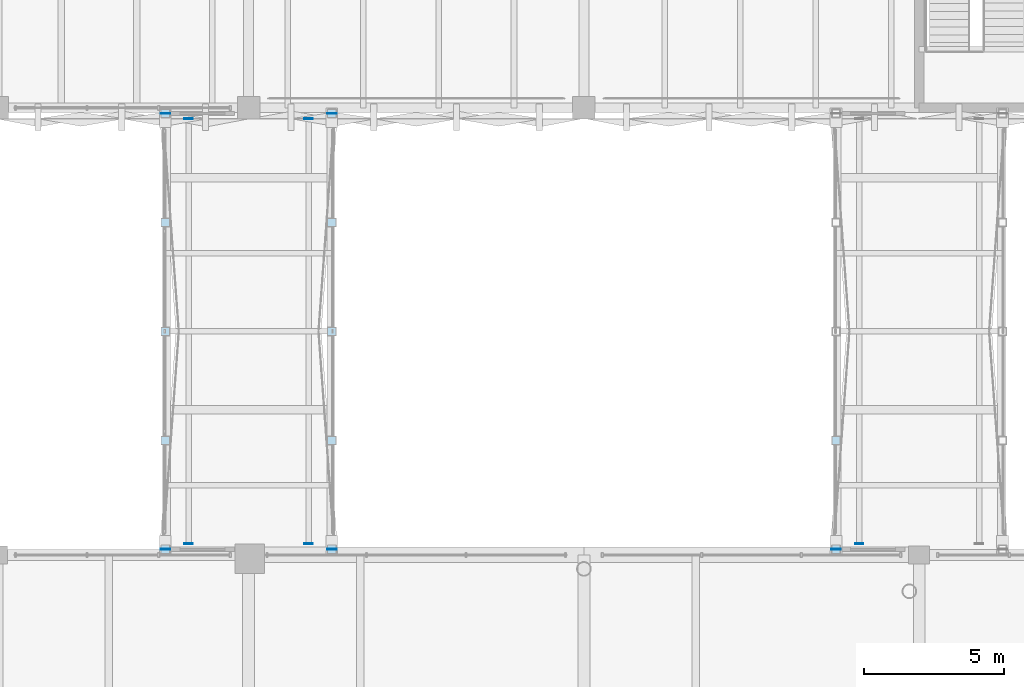
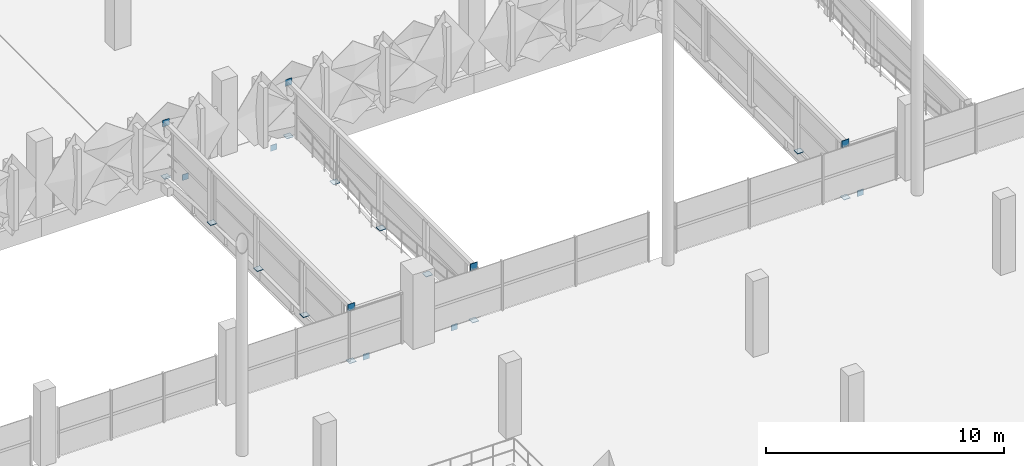
# One storey, part 68 of 123: 22 plates.
"""IFC4 building model written with IfcOpenShell, lengths in metres."""

from ifc_helpers import new_model, si_unit, derived_unit, direction, frame, origin, origin_2d, place, context, subcontext, project, spatial, rectangle, extrude, material, layer, layer_set, type_object, element, save


model = new_model("IFC4")

# Units and contexts
model_context = context("Model", 3, precision=1e-05, world=origin(), true_north=direction((0.0, 1.0)))
body_context = subcontext(model_context, "Body", "Model", "MODEL_VIEW")
ifc_project = project(units=[si_unit("LENGTHUNIT", "METRE"), si_unit("AREAUNIT", "SQUARE_METRE"), si_unit("VOLUMEUNIT", "CUBIC_METRE"), si_unit("PLANEANGLEUNIT", "RADIAN"), si_unit("MASSUNIT", "GRAM", prefix="KILO"), si_unit("THERMODYNAMICTEMPERATUREUNIT", "KELVIN"), derived_unit("THERMALTRANSMITTANCEUNIT", [(si_unit("POWERUNIT", "WATT"), 1), (si_unit("AREAUNIT", "SQUARE_METRE"), -1), (si_unit("THERMODYNAMICTEMPERATUREUNIT", "KELVIN"), -1)])], contexts=[model_context])

# Site, building, storey
site_placement = place(None, origin())
site = spatial("IfcSite", under=ifc_project, at=site_placement, CompositionType="ELEMENT")
building_placement = place(site_placement, origin())
building = spatial("IfcBuilding", under=site, at=building_placement, Name="Haiyu Intermodal Mobility Hub", CompositionType="ELEMENT")
storey_placement = place(building_placement, frame((0.0, 0.0, 5.60009765625)))
storey = spatial("IfcBuildingStorey", under=building, at=storey_placement, Name="L01", CompositionType="ELEMENT", Elevation=5.60009765625)

# Plates
ifc_material = material(Name="Steel Q355C", Category="steel")
ifc_layer_1 = layer(ifc_material, 0.031982421875)
ifc_layer_set_1 = layer_set([ifc_layer_1], Name="Steel Q355C")
plate_type_1 = type_object("IfcPlateType", Name="PLT-GP02", PredefinedType="USERDEFINED", material=ifc_layer_set_1)
for number, where, z_axis, x_axis, name in (
    (1, (93.02001953125, 88.199951171875, 2.3798828125), (0.0, 0.0, 1.0), (1.0, 0.0, 0.0), "Bridge Truss Chord End Cap BWW-1"),
    (2, (93.02001953125, 103.800048828125, 2.3798828125), (0.0, 0.0, 1.0), (1.0, 0.0, 0.0), "Bridge Truss Chord End Cap BWW-2"),
):
    element("IfcPlate", number, at=place(storey_placement, frame(where, z_axis=z_axis, x_axis=x_axis)), inside=storey, type_object=plate_type_1, Name=name, ObjectType="GUSSET PLATE", PredefinedType="USERDEFINED", context=body_context, shape_type="SweptSolid", body=[
        extrude(rectangle(XDim=0.340087890625, YDim=0.028076171875, at=origin_2d()), origin(), (0.0, 0.0, 1.0), 0.340087890625),
    ])
for number, where, z_axis, x_axis, name in (
    (3, (93.02001953125, 88.199951171875, -0.234375), (0.0, 0.0, 1.0), (1.0, 0.0, 0.0), "Bridge Vierendeel Base Gusset BWW-1"),
    (4, (93.02001953125, 92.10009765625, -0.234375), (0.0, 0.0, 1.0), (1.0, 0.0, 0.0), "Bridge Vierendeel Base Gusset BWW-2"),
    (5, (93.02001953125, 96.0, -0.234375), (0.0, 0.0, 1.0), (1.0, 0.0, 0.0), "Bridge Vierendeel Base Gusset BWW-3"),
    (6, (93.02001953125, 99.89990234375, -0.234375), (0.0, 0.0, 1.0), (1.0, 0.0, 0.0), "Bridge Vierendeel Base Gusset BWW-4"),
    (7, (93.02001953125, 103.800048828125, -0.234375), (0.0, 0.0, 1.0), (1.0, 0.0, 0.0), "Bridge Vierendeel Base Gusset BWW-5"),
):
    element("IfcPlate", number, at=place(storey_placement, frame(where, z_axis=z_axis, x_axis=x_axis)), inside=storey, type_object=plate_type_1, Name=name, ObjectType="GUSSET PLATE", PredefinedType="USERDEFINED", context=body_context, shape_type="SweptSolid", body=[
        extrude(rectangle(XDim=0.320068359375, YDim=0.320068359375, at=origin_2d()), origin(), (0.0, 0.0, 1.0), 0.028076171875),
    ])
for number, where, z_axis, x_axis, name in (
    (8, (98.97998046875, 88.199951171875, 2.3798828125), (0.0, 0.0, 1.0), (1.0, 0.0, 0.0), "Bridge Truss Chord End Cap BWE-1"),
    (9, (98.97998046875, 103.800048828125, 2.3798828125), (0.0, 0.0, 1.0), (1.0, 0.0, 0.0), "Bridge Truss Chord End Cap BWE-2"),
):
    element("IfcPlate", number, at=place(storey_placement, frame(where, z_axis=z_axis, x_axis=x_axis)), inside=storey, type_object=plate_type_1, Name=name, ObjectType="GUSSET PLATE", PredefinedType="USERDEFINED", context=body_context, shape_type="SweptSolid", body=[
        extrude(rectangle(XDim=0.340087890625, YDim=0.028076171875, at=origin_2d()), origin(), (0.0, 0.0, 1.0), 0.340087890625),
    ])
for number, where, z_axis, x_axis, name in (
    (10, (98.97998046875, 88.199951171875, -0.234375), (0.0, 0.0, 1.0), (1.0, 0.0, 0.0), "Bridge Vierendeel Base Gusset BWE-1"),
    (11, (98.97998046875, 92.10009765625, -0.234375), (0.0, 0.0, 1.0), (1.0, 0.0, 0.0), "Bridge Vierendeel Base Gusset BWE-2"),
    (12, (98.97998046875, 96.0, -0.234375), (0.0, 0.0, 1.0), (1.0, 0.0, 0.0), "Bridge Vierendeel Base Gusset BWE-3"),
    (13, (98.97998046875, 99.89990234375, -0.234375), (0.0, 0.0, 1.0), (1.0, 0.0, 0.0), "Bridge Vierendeel Base Gusset BWE-4"),
    (14, (98.97998046875, 103.800048828125, -0.234375), (0.0, 0.0, 1.0), (1.0, 0.0, 0.0), "Bridge Vierendeel Base Gusset BWE-5"),
):
    element("IfcPlate", number, at=place(storey_placement, frame(where, z_axis=z_axis, x_axis=x_axis)), inside=storey, type_object=plate_type_1, Name=name, ObjectType="GUSSET PLATE", PredefinedType="USERDEFINED", context=body_context, shape_type="SweptSolid", body=[
        extrude(rectangle(XDim=0.320068359375, YDim=0.320068359375, at=origin_2d()), origin(), (0.0, 0.0, 1.0), 0.028076171875),
    ])
plate_placement = place(storey_placement, frame((117.02001953125, 88.199951171875, 2.3798828125), z_axis=(0.0, 0.0, 1.0), x_axis=(1.0, 0.0, 0.0)))
element("IfcPlate", 15, at=plate_placement, inside=storey, type_object=plate_type_1, Name="Bridge Truss Chord End Cap BEW-1", ObjectType="GUSSET PLATE", PredefinedType="USERDEFINED", context=body_context, shape_type="SweptSolid", body=[
    extrude(rectangle(XDim=0.340087890625, YDim=0.028076171875, at=origin_2d()), origin(), (0.0, 0.0, 1.0), 0.340087890625),
])
for number, where, z_axis, x_axis, name in (
    (16, (117.02001953125, 88.199951171875, -0.234375), (0.0, 0.0, 1.0), (1.0, 0.0, 0.0), "Bridge Vierendeel Base Gusset BEW-1"),
    (17, (117.02001953125, 92.10009765625, -0.234375), (0.0, 0.0, 1.0), (1.0, 0.0, 0.0), "Bridge Vierendeel Base Gusset BEW-2"),
):
    element("IfcPlate", number, at=place(storey_placement, frame(where, z_axis=z_axis, x_axis=x_axis)), inside=storey, type_object=plate_type_1, Name=name, ObjectType="GUSSET PLATE", PredefinedType="USERDEFINED", context=body_context, shape_type="SweptSolid", body=[
        extrude(rectangle(XDim=0.320068359375, YDim=0.320068359375, at=origin_2d()), origin(), (0.0, 0.0, 1.0), 0.028076171875),
    ])
ifc_layer_2 = layer(ifc_material, 0.02587890625)
ifc_layer_set_2 = layer_set([ifc_layer_2], Name="Steel Q355C")
plate_type_2 = type_object("IfcPlateType", Name="PLT-GP06-INT", PredefinedType="USERDEFINED", material=ifc_layer_set_2)
for number, where, z_axis, x_axis, name in (
    (18, (93.85400390625, 88.39501953125, -0.55029296875), (0.0, 0.0, 1.0), (1.0, 0.0, 0.0), "PLT-BRGBEC-BWW-1"),
    (19, (93.85400390625, 103.60498046875, -0.55029296875), (0.0, 0.0, 1.0), (1.0, 0.0, 0.0), "PLT-BRGBEC-BWW-2"),
    (20, (98.14599609375, 88.39501953125, -0.55029296875), (0.0, 0.0, 1.0), (1.0, 0.0, 0.0), "PLT-BRGBEC-BWE-1"),
    (21, (98.14599609375, 103.60498046875, -0.55029296875), (0.0, 0.0, 1.0), (1.0, 0.0, 0.0), "PLT-BRGBEC-BWE-2"),
    (22, (117.85400390625, 88.39501953125, -0.55029296875), (0.0, 0.0, 1.0), (1.0, 0.0, 0.0), "PLT-BRGBEC-BEW-1"),
):
    element("IfcPlate", number, at=place(storey_placement, frame(where, z_axis=z_axis, x_axis=x_axis)), inside=storey, type_object=plate_type_2, Name=name, ObjectType="GUSSET PLATE", PredefinedType="USERDEFINED", context=body_context, shape_type="SweptSolid", body=[
        extrude(rectangle(XDim=0.300048828125, YDim=0.028076171875, at=origin_2d()), origin(), (0.0, 0.0, 1.0), 0.300048828125),
    ])

save(model, "model.ifc")
